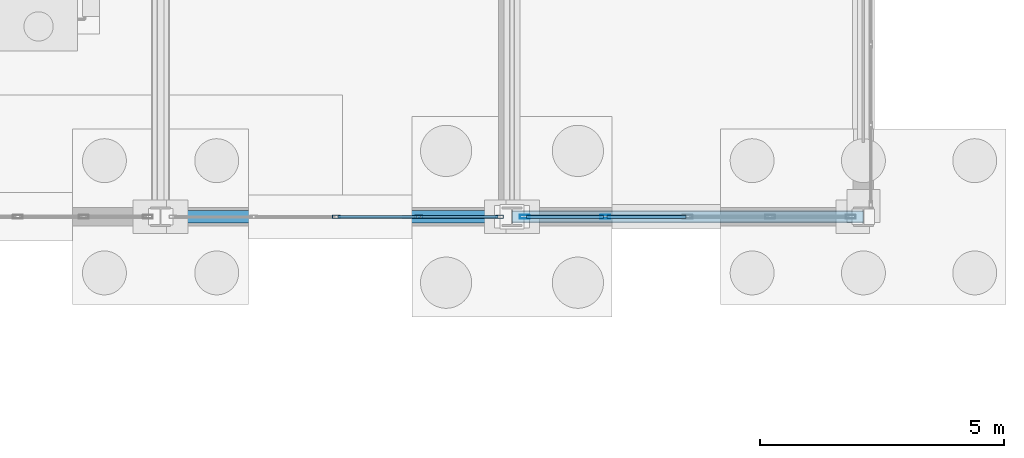
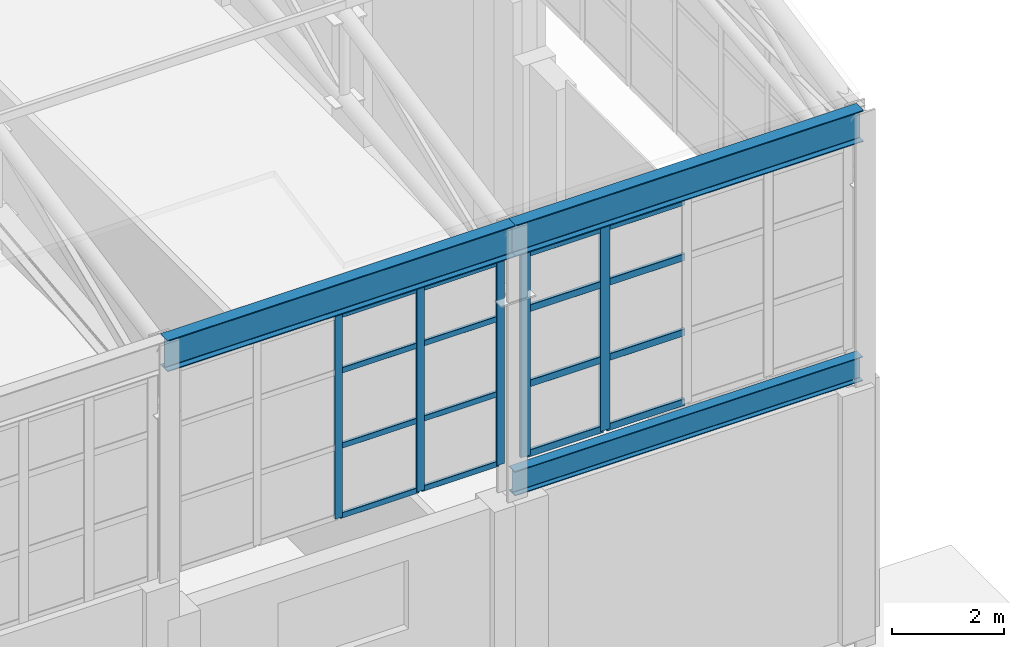
# One storey, part 175 of 293: 21 members, 3 beams, 2 elements without a shape of their own.
"""IFC4 building model written with IfcOpenShell, lengths in metres."""

from ifc_helpers import new_model, si_unit, direction, frame, origin, origin_2d, place, context, subcontext, project, spatial, hollow_rectangle, i_section, extrude, material, layer, layer_set, material_profile, profile_set, type_object, element, aggregate, save


model = new_model("IFC4")

# Units and contexts
model_context = context("Model", 3, precision=1e-05, world=origin(), true_north=direction((0.0, 1.0)))
body_context = subcontext(model_context, "Body", "Model", "MODEL_VIEW")
ifc_project = project(units=[si_unit("LENGTHUNIT", "METRE"), si_unit("AREAUNIT", "SQUARE_METRE"), si_unit("VOLUMEUNIT", "CUBIC_METRE"), si_unit("PLANEANGLEUNIT", "RADIAN"), si_unit("MASSUNIT", "GRAM", prefix="KILO")], contexts=[model_context])

# Site, building, storey
site_placement = place(None, origin())
site = spatial("IfcSite", under=ifc_project, at=site_placement, CompositionType="ELEMENT")
building_placement = place(site_placement, origin())
building = spatial("IfcBuilding", under=site, at=building_placement, Name="Kemerveld Promenade Tramway Depot", CompositionType="ELEMENT")
storey_placement = place(building_placement, origin())
storey = spatial("IfcBuildingStorey", under=building, at=storey_placement, Name="L00", CompositionType="ELEMENT", Elevation=0.0)

# Beams
ifc_material_1 = material(Name="Steel S355", Category="steel")
ifc_material_profile_1 = material_profile(ifc_material_1, i_section(OverallWidth=0.25439453125, OverallDepth=0.6875, WebThickness=0.01318359375, FlangeThickness=0.02099609375, FilletRadius=0.01513671875, at=origin_2d()), Name="686x254x152 UB")
ifc_profile_set_1 = profile_set([ifc_material_profile_1], Name="Steel S355")
beam_type_1 = type_object("IfcBeamType", Name="BM-G03", PredefinedType="BEAM", material=ifc_profile_set_1)
for number, where, z_axis, x_axis, name in (
    (1, (172.800048828125, 84.0, 11.056396484375), (1.0, 0.0, 0.0), (0.0, 1.0, 0.0), "BM-SHED-EAVE-N-25"),
    (2, (180.0, 84.0, 11.056396484375), (1.0, 0.0, 0.0), (0.0, 1.0, 0.0), "BM-SHED-EAVE-N-26"),
):
    element("IfcBeam", number, at=place(storey_placement, frame(where, z_axis=z_axis, x_axis=x_axis)), inside=storey, type_object=beam_type_1, Name=name, PredefinedType="BEAM", context=body_context, shape_type="SweptSolid", body=[
        extrude(i_section(OverallWidth=0.25439453125, OverallDepth=0.6875, WebThickness=0.01318359375, FlangeThickness=0.02099609375, FilletRadius=0.01513671875, at=origin_2d()), origin(), (0.0, 0.0, 1.0), 7.199951171875),
    ])
ifc_material_profile_2 = material_profile(ifc_material_1, i_section(OverallWidth=0.2099609375, OverallDepth=0.53662109375, WebThickness=0.0107421875, FlangeThickness=0.017333984375, FilletRadius=0.0126953125, at=origin_2d()), Name="533x210x101 UB")
ifc_profile_set_2 = profile_set([ifc_material_profile_2], Name="Steel S355")
beam_type_2 = type_object("IfcBeamType", Name="BM-G05", PredefinedType="BEAM", material=ifc_profile_set_2)
beam_placement = place(storey_placement, frame((180.0, 84.0, 5.731689453125), z_axis=(1.0, 0.0, 0.0), x_axis=(0.0, 1.0, 0.0)))
element("IfcBeam", 3, at=beam_placement, inside=storey, type_object=beam_type_2, Name="BM-SHED-MID-N-26", PredefinedType="BEAM", context=body_context, shape_type="SweptSolid", body=[
    extrude(i_section(OverallWidth=0.2099609375, OverallDepth=0.53662109375, WebThickness=0.0107421875, FlangeThickness=0.017333984375, FilletRadius=0.0126953125, at=origin_2d()), origin(), (0.0, 0.0, 1.0), 7.199951171875),
])

# Curtain wall, members
ifc_material_2 = material(Name="Bronze anodised aluminium and solar glass", Category="aluminium")
ifc_layer_1 = layer(ifc_material_2, 0.159912109375)
ifc_layer_set_1 = layer_set([ifc_layer_1], Name="CW-SYS-09")
curtain_wall_type_1 = type_object("IfcCurtainWallType", Name="CW-SYS-09", PredefinedType="USERDEFINED", material=ifc_layer_set_1)
curtain_wall_1_placement = place(storey_placement, origin())
curtain_wall_1 = element("IfcCurtainWall", 4, at=curtain_wall_1_placement, inside=storey, type_object=curtain_wall_type_1, Name="CW-V1-S-20", ObjectType="GLAZED_CURTAIN_WALL", PredefinedType="USERDEFINED")
ifc_material_3 = material(Name="Bronze anodised aluminium", Category="aluminium")
ifc_material_profile_3 = material_profile(ifc_material_3, hollow_rectangle(XDim=0.06494140625, YDim=0.159912109375, WallThickness=0.00390625, InnerFilletRadius=0.001953125, OuterFilletRadius=0.00390625, at=origin_2d()), Name="CW-MUL-160x65")
ifc_profile_set_3 = profile_set([ifc_material_profile_3], Name="Bronze anodised aluminium")
member_type_1 = type_object("IfcMemberType", Name="CW-MUL-A", PredefinedType="MULLION", material=ifc_profile_set_3)
member_1_placement = place(storey_placement, frame((179.744384765625, 84.0, 6.199951171875), z_axis=(0.0, 0.0, 1.0), x_axis=(0.0, -1.0, 0.0)))
member_1 = element("IfcMember", 5, at=member_1_placement, type_object=member_type_1, Name="CW09 mullion 1", PredefinedType="MULLION", context=body_context, shape_type="SweptSolid", body=[
    extrude(hollow_rectangle(XDim=0.06494140625, YDim=0.159912109375, WallThickness=0.00390625, InnerFilletRadius=0.001953125, OuterFilletRadius=0.00390625, at=origin_2d()), origin(), (0.0, 0.0, 1.0), 4.449951171875),
])
member_2_placement = place(storey_placement, frame((178.08837890625, 84.0, 6.199951171875), z_axis=(0.0, 0.0, 1.0), x_axis=(0.0, -1.0, 0.0)))
member_2 = element("IfcMember", 6, at=member_2_placement, type_object=member_type_1, Name="CW09 mullion 2", PredefinedType="MULLION", context=body_context, shape_type="SweptSolid", body=[
    extrude(hollow_rectangle(XDim=0.06494140625, YDim=0.159912109375, WallThickness=0.00390625, InnerFilletRadius=0.001953125, OuterFilletRadius=0.00390625, at=origin_2d()), origin(), (0.0, 0.0, 1.0), 4.449951171875),
])
member_3_placement = place(storey_placement, frame((176.39990234375, 84.0, 6.199951171875), z_axis=(0.0, 0.0, 1.0), x_axis=(0.0, -1.0, 0.0)))
member_3 = element("IfcMember", 7, at=member_3_placement, type_object=member_type_1, Name="CW09 mullion 3", PredefinedType="MULLION", context=body_context, shape_type="SweptSolid", body=[
    extrude(hollow_rectangle(XDim=0.06494140625, YDim=0.159912109375, WallThickness=0.00390625, InnerFilletRadius=0.001953125, OuterFilletRadius=0.00390625, at=origin_2d()), origin(), (0.0, 0.0, 1.0), 4.449951171875),
])

ifc_layer_2 = layer(ifc_material_2, 0.199951171875)
ifc_layer_set_2 = layer_set([ifc_layer_2], Name="CW-SYS-10")
curtain_wall_type_2 = type_object("IfcCurtainWallType", Name="CW-SYS-10", PredefinedType="USERDEFINED", material=ifc_layer_set_2)
curtain_wall_2_placement = place(storey_placement, origin())
curtain_wall_2 = element("IfcCurtainWall", 8, at=curtain_wall_2_placement, inside=storey, type_object=curtain_wall_type_2, Name="CW-V1-S-21", ObjectType="GLAZED_CURTAIN_WALL", PredefinedType="USERDEFINED")
ifc_material_profile_4 = material_profile(ifc_material_3, hollow_rectangle(XDim=0.074951171875, YDim=0.199951171875, WallThickness=0.0048828125, InnerFilletRadius=0.001953125, OuterFilletRadius=0.0048828125, at=origin_2d()), Name="CW-MUL-200x75")
ifc_profile_set_4 = profile_set([ifc_material_profile_4], Name="Bronze anodised aluminium")
member_type_2 = type_object("IfcMemberType", Name="CW-MUL-B", PredefinedType="MULLION", material=ifc_profile_set_4)
member_4_placement = place(storey_placement, frame((181.91162109375, 84.0, 6.199951171875), z_axis=(0.0, 0.0, 1.0), x_axis=(0.0, -1.0, 0.0)))
member_4 = element("IfcMember", 9, at=member_4_placement, type_object=member_type_2, Name="CW10 mullion 4", PredefinedType="MULLION", context=body_context, shape_type="SweptSolid", body=[
    extrude(hollow_rectangle(XDim=0.074951171875, YDim=0.199951171875, WallThickness=0.0048828125, InnerFilletRadius=0.001953125, OuterFilletRadius=0.0048828125, at=origin_2d()), origin(), (0.0, 0.0, 1.0), 4.449951171875),
])
member_5_placement = place(storey_placement, frame((180.2607421875, 84.0, 6.199951171875), z_axis=(0.0, 0.0, 1.0), x_axis=(0.0, -1.0, 0.0)))
member_5 = element("IfcMember", 10, at=member_5_placement, type_object=member_type_2, Name="CW10 mullion 5", PredefinedType="MULLION", context=body_context, shape_type="SweptSolid", body=[
    extrude(hollow_rectangle(XDim=0.074951171875, YDim=0.199951171875, WallThickness=0.0048828125, InnerFilletRadius=0.001953125, OuterFilletRadius=0.0048828125, at=origin_2d()), origin(), (0.0, 0.0, 1.0), 4.449951171875),
])

# Member
ifc_material_profile_5 = material_profile(ifc_material_3, hollow_rectangle(XDim=0.06005859375, YDim=0.1201171875, WallThickness=0.00390625, InnerFilletRadius=0.001953125, OuterFilletRadius=0.00390625, at=origin_2d()), Name="CW-TRN-120x60")
ifc_profile_set_5 = profile_set([ifc_material_profile_5], Name="Bronze anodised aluminium")
member_type_3 = type_object("IfcMemberType", Name="CW-TRN-A", PredefinedType="USERDEFINED", material=ifc_profile_set_5)
member_6_placement = place(storey_placement, frame((179.7119140625, 84.0, 6.22998046875), z_axis=(-1.0, 0.0, 0.0), x_axis=(0.0, -1.0, 0.0)))
member_6 = element("IfcMember", 11, at=member_6_placement, type_object=member_type_3, Name="CW09 transom 1.1", ObjectType="TRANSOM", PredefinedType="USERDEFINED", context=body_context, shape_type="SweptSolid", body=[
    extrude(hollow_rectangle(XDim=0.06005859375, YDim=0.1201171875, WallThickness=0.00390625, InnerFilletRadius=0.001953125, OuterFilletRadius=0.00390625, at=origin_2d()), origin(), (0.0, 0.0, 1.0), 1.591064453125),
])

member_7_placement = place(storey_placement, frame((179.7119140625, 84.0, 7.758056640625), z_axis=(-1.0, 0.0, 0.0), x_axis=(0.0, -1.0, 0.0)))
member_7 = element("IfcMember", 12, at=member_7_placement, type_object=member_type_3, Name="CW09 transom 1.2", ObjectType="TRANSOM", PredefinedType="USERDEFINED", context=body_context, shape_type="SweptSolid", body=[
    extrude(hollow_rectangle(XDim=0.06005859375, YDim=0.1201171875, WallThickness=0.00390625, InnerFilletRadius=0.001953125, OuterFilletRadius=0.00390625, at=origin_2d()), origin(), (0.0, 0.0, 1.0), 1.591064453125),
])

member_8_placement = place(storey_placement, frame((179.7119140625, 84.0, 9.404052734375), z_axis=(-1.0, 0.0, 0.0), x_axis=(0.0, -1.0, 0.0)))
member_8 = element("IfcMember", 13, at=member_8_placement, type_object=member_type_3, Name="CW09 transom 1.3", ObjectType="TRANSOM", PredefinedType="USERDEFINED", context=body_context, shape_type="SweptSolid", body=[
    extrude(hollow_rectangle(XDim=0.06005859375, YDim=0.1201171875, WallThickness=0.00390625, InnerFilletRadius=0.001953125, OuterFilletRadius=0.00390625, at=origin_2d()), origin(), (0.0, 0.0, 1.0), 1.591064453125),
])

member_9_placement = place(storey_placement, frame((179.7119140625, 84.0, 10.6201171875), z_axis=(-1.0, 0.0, 0.0), x_axis=(0.0, -1.0, 0.0)))
member_9 = element("IfcMember", 14, at=member_9_placement, type_object=member_type_3, Name="CW09 transom 1.4", ObjectType="TRANSOM", PredefinedType="USERDEFINED", context=body_context, shape_type="SweptSolid", body=[
    extrude(hollow_rectangle(XDim=0.06005859375, YDim=0.1201171875, WallThickness=0.00390625, InnerFilletRadius=0.001953125, OuterFilletRadius=0.00390625, at=origin_2d()), origin(), (0.0, 0.0, 1.0), 1.591064453125),
])

member_10_placement = place(storey_placement, frame((178.055908203125, 84.0, 6.22998046875), z_axis=(-1.0, 0.0, 0.0), x_axis=(0.0, -1.0, 0.0)))
member_10 = element("IfcMember", 15, at=member_10_placement, type_object=member_type_3, Name="CW09 transom 2.1", ObjectType="TRANSOM", PredefinedType="USERDEFINED", context=body_context, shape_type="SweptSolid", body=[
    extrude(hollow_rectangle(XDim=0.06005859375, YDim=0.1201171875, WallThickness=0.00390625, InnerFilletRadius=0.001953125, OuterFilletRadius=0.00390625, at=origin_2d()), origin(), (0.0, 0.0, 1.0), 1.623291015625),
])

member_11_placement = place(storey_placement, frame((178.055908203125, 84.0, 7.758056640625), z_axis=(-1.0, 0.0, 0.0), x_axis=(0.0, -1.0, 0.0)))
member_11 = element("IfcMember", 16, at=member_11_placement, type_object=member_type_3, Name="CW09 transom 2.2", ObjectType="TRANSOM", PredefinedType="USERDEFINED", context=body_context, shape_type="SweptSolid", body=[
    extrude(hollow_rectangle(XDim=0.06005859375, YDim=0.1201171875, WallThickness=0.00390625, InnerFilletRadius=0.001953125, OuterFilletRadius=0.00390625, at=origin_2d()), origin(), (0.0, 0.0, 1.0), 1.623291015625),
])

member_12_placement = place(storey_placement, frame((178.055908203125, 84.0, 9.404052734375), z_axis=(-1.0, 0.0, 0.0), x_axis=(0.0, -1.0, 0.0)))
member_12 = element("IfcMember", 17, at=member_12_placement, type_object=member_type_3, Name="CW09 transom 2.3", ObjectType="TRANSOM", PredefinedType="USERDEFINED", context=body_context, shape_type="SweptSolid", body=[
    extrude(hollow_rectangle(XDim=0.06005859375, YDim=0.1201171875, WallThickness=0.00390625, InnerFilletRadius=0.001953125, OuterFilletRadius=0.00390625, at=origin_2d()), origin(), (0.0, 0.0, 1.0), 1.623291015625),
])

member_13_placement = place(storey_placement, frame((178.055908203125, 84.0, 10.6201171875), z_axis=(-1.0, 0.0, 0.0), x_axis=(0.0, -1.0, 0.0)))
member_13 = element("IfcMember", 18, at=member_13_placement, type_object=member_type_3, Name="CW09 transom 2.4", ObjectType="TRANSOM", PredefinedType="USERDEFINED", context=body_context, shape_type="SweptSolid", body=[
    extrude(hollow_rectangle(XDim=0.06005859375, YDim=0.1201171875, WallThickness=0.00390625, InnerFilletRadius=0.001953125, OuterFilletRadius=0.00390625, at=origin_2d()), origin(), (0.0, 0.0, 1.0), 1.623291015625),
])

aggregate(curtain_wall_1, [member_1, member_2, member_3, member_6, member_7, member_8, member_9, member_10, member_11, member_12, member_13])

ifc_material_profile_6 = material_profile(ifc_material_3, hollow_rectangle(XDim=0.06494140625, YDim=0.14990234375, WallThickness=0.00439453125, InnerFilletRadius=0.001953125, OuterFilletRadius=0.00439453125, at=origin_2d()), Name="CW-TRN-150x65")
ifc_profile_set_6 = profile_set([ifc_material_profile_6], Name="Bronze anodised aluminium")
member_type_4 = type_object("IfcMemberType", Name="CW-TRN-B", PredefinedType="USERDEFINED", material=ifc_profile_set_6)
member_14_placement = place(storey_placement, frame((183.5625, 84.0, 6.232421875), z_axis=(-1.0, 0.0, 0.0), x_axis=(0.0, -1.0, 0.0)))
member_14 = element("IfcMember", 19, at=member_14_placement, type_object=member_type_4, Name="CW10 transom 3.1", ObjectType="TRANSOM", PredefinedType="USERDEFINED", context=body_context, shape_type="SweptSolid", body=[
    extrude(hollow_rectangle(XDim=0.06494140625, YDim=0.14990234375, WallThickness=0.00439453125, InnerFilletRadius=0.001953125, OuterFilletRadius=0.00439453125, at=origin_2d()), origin(), (0.0, 0.0, 1.0), 1.61328125),
])

member_15_placement = place(storey_placement, frame((183.5625, 84.0, 7.758056640625), z_axis=(-1.0, 0.0, 0.0), x_axis=(0.0, -1.0, 0.0)))
member_15 = element("IfcMember", 20, at=member_15_placement, type_object=member_type_4, Name="CW10 transom 3.2", ObjectType="TRANSOM", PredefinedType="USERDEFINED", context=body_context, shape_type="SweptSolid", body=[
    extrude(hollow_rectangle(XDim=0.06494140625, YDim=0.14990234375, WallThickness=0.00439453125, InnerFilletRadius=0.001953125, OuterFilletRadius=0.00439453125, at=origin_2d()), origin(), (0.0, 0.0, 1.0), 1.61328125),
])

member_16_placement = place(storey_placement, frame((183.5625, 84.0, 9.404052734375), z_axis=(-1.0, 0.0, 0.0), x_axis=(0.0, -1.0, 0.0)))
member_16 = element("IfcMember", 21, at=member_16_placement, type_object=member_type_4, Name="CW10 transom 3.3", ObjectType="TRANSOM", PredefinedType="USERDEFINED", context=body_context, shape_type="SweptSolid", body=[
    extrude(hollow_rectangle(XDim=0.06494140625, YDim=0.14990234375, WallThickness=0.00439453125, InnerFilletRadius=0.001953125, OuterFilletRadius=0.00439453125, at=origin_2d()), origin(), (0.0, 0.0, 1.0), 1.61328125),
])

member_17_placement = place(storey_placement, frame((183.5625, 84.0, 10.617431640625), z_axis=(-1.0, 0.0, 0.0), x_axis=(0.0, -1.0, 0.0)))
member_17 = element("IfcMember", 22, at=member_17_placement, type_object=member_type_4, Name="CW10 transom 3.4", ObjectType="TRANSOM", PredefinedType="USERDEFINED", context=body_context, shape_type="SweptSolid", body=[
    extrude(hollow_rectangle(XDim=0.06494140625, YDim=0.14990234375, WallThickness=0.00439453125, InnerFilletRadius=0.001953125, OuterFilletRadius=0.00439453125, at=origin_2d()), origin(), (0.0, 0.0, 1.0), 1.61328125),
])

member_18_placement = place(storey_placement, frame((181.8740234375, 84.0, 6.232421875), z_axis=(-1.0, 0.0, 0.0), x_axis=(0.0, -1.0, 0.0)))
member_18 = element("IfcMember", 23, at=member_18_placement, type_object=member_type_4, Name="CW10 transom 4.1", ObjectType="TRANSOM", PredefinedType="USERDEFINED", context=body_context, shape_type="SweptSolid", body=[
    extrude(hollow_rectangle(XDim=0.06494140625, YDim=0.14990234375, WallThickness=0.00439453125, InnerFilletRadius=0.001953125, OuterFilletRadius=0.00439453125, at=origin_2d()), origin(), (0.0, 0.0, 1.0), 1.575927734375),
])

member_19_placement = place(storey_placement, frame((181.8740234375, 84.0, 7.758056640625), z_axis=(-1.0, 0.0, 0.0), x_axis=(0.0, -1.0, 0.0)))
member_19 = element("IfcMember", 24, at=member_19_placement, type_object=member_type_4, Name="CW10 transom 4.2", ObjectType="TRANSOM", PredefinedType="USERDEFINED", context=body_context, shape_type="SweptSolid", body=[
    extrude(hollow_rectangle(XDim=0.06494140625, YDim=0.14990234375, WallThickness=0.00439453125, InnerFilletRadius=0.001953125, OuterFilletRadius=0.00439453125, at=origin_2d()), origin(), (0.0, 0.0, 1.0), 1.575927734375),
])

member_20_placement = place(storey_placement, frame((181.8740234375, 84.0, 9.404052734375), z_axis=(-1.0, 0.0, 0.0), x_axis=(0.0, -1.0, 0.0)))
member_20 = element("IfcMember", 25, at=member_20_placement, type_object=member_type_4, Name="CW10 transom 4.3", ObjectType="TRANSOM", PredefinedType="USERDEFINED", context=body_context, shape_type="SweptSolid", body=[
    extrude(hollow_rectangle(XDim=0.06494140625, YDim=0.14990234375, WallThickness=0.00439453125, InnerFilletRadius=0.001953125, OuterFilletRadius=0.00439453125, at=origin_2d()), origin(), (0.0, 0.0, 1.0), 1.575927734375),
])

member_21_placement = place(storey_placement, frame((181.8740234375, 84.0, 10.617431640625), z_axis=(-1.0, 0.0, 0.0), x_axis=(0.0, -1.0, 0.0)))
member_21 = element("IfcMember", 26, at=member_21_placement, type_object=member_type_4, Name="CW10 transom 4.4", ObjectType="TRANSOM", PredefinedType="USERDEFINED", context=body_context, shape_type="SweptSolid", body=[
    extrude(hollow_rectangle(XDim=0.06494140625, YDim=0.14990234375, WallThickness=0.00439453125, InnerFilletRadius=0.001953125, OuterFilletRadius=0.00439453125, at=origin_2d()), origin(), (0.0, 0.0, 1.0), 1.575927734375),
])

aggregate(curtain_wall_2, [member_4, member_5, member_14, member_15, member_16, member_17, member_18, member_19, member_20, member_21])

save(model, "model.ifc")
